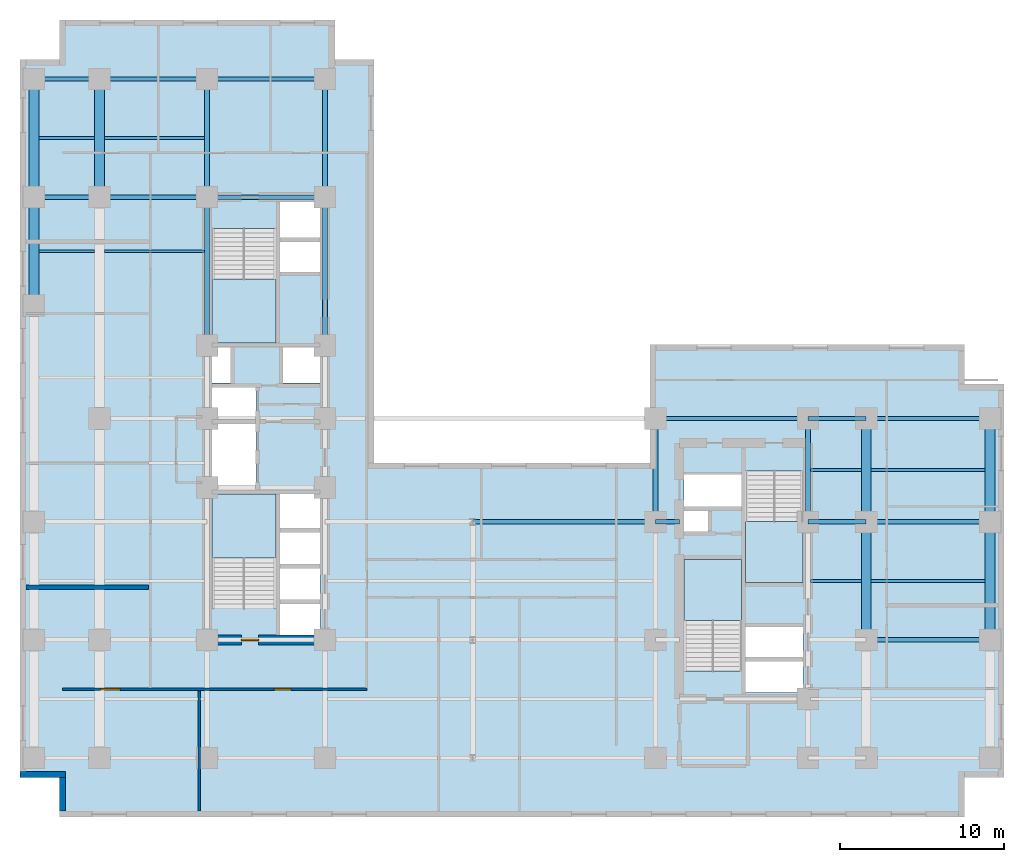
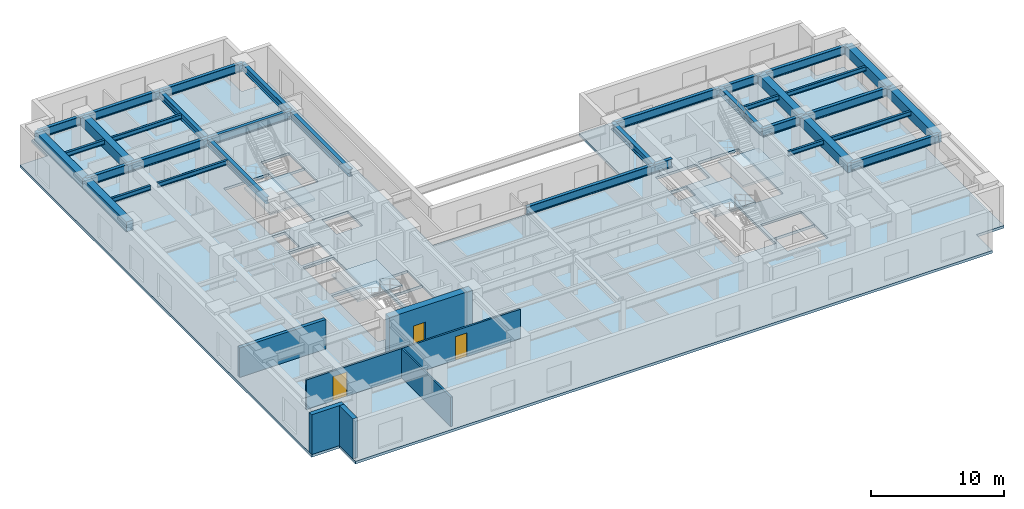
# One storey, part 2 of 9: 35 beams, 6 walls, 5 slabs, 3 doors, 3 openings, 4 elements without a shape of their own.
"""IFC4 building model written with IfcOpenShell, lengths in metres."""

from ifc_helpers import new_model, entity, si_unit, converted_unit, direction, frame, origin_with_axes, origin_2d_with_axis, place, context, subcontext, project, spatial, polyline, rectangle, i_section, outline, extrude, material, layer, layer_set, material_profile, profile_set, type_object, element, fill, aggregate, save


model = new_model("IFC4")

# Units and contexts
model_context = context("Model", 3, precision=1e-05, world=origin_with_axes(), true_north=direction((0.0, 1.0)))
body_context = subcontext(model_context, "Body", "Model", "MODEL_VIEW")
ifc_project = project(units=[si_unit("LENGTHUNIT", "METRE"), si_unit("AREAUNIT", "SQUARE_METRE"), si_unit("VOLUMEUNIT", "CUBIC_METRE"), converted_unit("PLANEANGLEUNIT", "DEGREE", entity("IfcPlaneAngleMeasure", 0.017453292519943295), si_unit("PLANEANGLEUNIT", "RADIAN"), dimensions=[0, 0, 0, 0, 0, 0, 0]), si_unit("MASSUNIT", "GRAM", prefix="KILO"), si_unit("THERMODYNAMICTEMPERATUREUNIT", "KELVIN")], contexts=[model_context])

# Site, building, storey
site_placement = place(None, origin_with_axes())
site = spatial("IfcSite", under=ifc_project, at=site_placement, CompositionType="ELEMENT")
building_placement = place(site_placement, origin_with_axes())
building = spatial("IfcBuilding", under=site, at=building_placement, Name="Varnlund Millrace Tower", CompositionType="ELEMENT")
storey_placement = place(building_placement, frame((0.0, 0.0, 56.1), z_axis=(0.0, 0.0, 1.0), x_axis=(1.0, 0.0, 0.0)))
storey = spatial("IfcBuildingStorey", under=building, at=storey_placement, Name="L13", CompositionType="ELEMENT", Elevation=56.1)

# Beams
ifc_material_1 = material(Name="Steel ASTM A992 Grade 50", Category="steel")
ifc_material_profile_1 = material_profile(ifc_material_1, i_section(OverallWidth=0.328, OverallDepth=0.628, WebThickness=0.0165, FlangeThickness=0.0277, FilletRadius=0.018, at=origin_2d_with_axis()), Name="Steel ASTM A992 Grade 50")
ifc_profile_set_1 = profile_set([ifc_material_profile_1], Name="Steel ASTM A992 Grade 50")
beam_type_1 = type_object("IfcBeamType", Name="Type-Girder-W24X146", PredefinedType="USERDEFINED", material=ifc_profile_set_1)
beam_1_placement = place(storey_placement, frame((11.4, 28.75, 3.346), z_axis=(0.0, 1.0, 0.0), x_axis=(-1.0, 0.0, 0.0)))
element("IfcBeam", 1, at=beam_1_placement, inside=storey, type_object=beam_type_1, Name="Type-Girder-W24X146", ObjectType="GIRDER", PredefinedType="USERDEFINED", context=body_context, shape_type="SweptSolid", body=[
    extrude(i_section(OverallWidth=0.328, OverallDepth=0.628, WebThickness=0.0165, FlangeThickness=0.0277, FilletRadius=0.018, at=origin_2d_with_axis()), origin_with_axes(), (0.0, 0.0, 1.0), 9.05),
])
beam_2_placement = place(storey_placement, frame((11.4, 37.8, 3.346), z_axis=(0.0, 1.0, 0.0), x_axis=(-1.0, 0.0, 0.0)))
element("IfcBeam", 2, at=beam_2_placement, inside=storey, type_object=beam_type_1, Name="Type-Girder-W24X146", ObjectType="GIRDER", PredefinedType="USERDEFINED", context=body_context, shape_type="SweptSolid", body=[
    extrude(i_section(OverallWidth=0.328, OverallDepth=0.628, WebThickness=0.0165, FlangeThickness=0.0277, FilletRadius=0.018, at=origin_2d_with_axis()), origin_with_axes(), (0.0, 0.0, 1.0), 7.2),
])
beam_3_placement = place(storey_placement, frame((18.6, 28.75, 3.346), z_axis=(0.0, 1.0, 0.0), x_axis=(-1.0, 0.0, 0.0)))
element("IfcBeam", 3, at=beam_3_placement, inside=storey, type_object=beam_type_1, Name="Type-Girder-W24X146", ObjectType="GIRDER", PredefinedType="USERDEFINED", context=body_context, shape_type="SweptSolid", body=[
    extrude(i_section(OverallWidth=0.328, OverallDepth=0.628, WebThickness=0.0165, FlangeThickness=0.0277, FilletRadius=0.018, at=origin_2d_with_axis()), origin_with_axes(), (0.0, 0.0, 1.0), 9.05),
])
beam_4_placement = place(storey_placement, frame((18.6, 37.8, 3.346), z_axis=(0.0, 1.0, 0.0), x_axis=(-1.0, 0.0, 0.0)))
element("IfcBeam", 4, at=beam_4_placement, inside=storey, type_object=beam_type_1, Name="Type-Girder-W24X146", ObjectType="GIRDER", PredefinedType="USERDEFINED", context=body_context, shape_type="SweptSolid", body=[
    extrude(i_section(OverallWidth=0.328, OverallDepth=0.628, WebThickness=0.0165, FlangeThickness=0.0277, FilletRadius=0.018, at=origin_2d_with_axis()), origin_with_axes(), (0.0, 0.0, 1.0), 7.2),
])
for number, where, z_axis, x_axis, name in (
    (5, (38.75, 18.0, 3.346), (0.0, 1.0, 0.0), (-1.0, 0.0, 0.0), "Type-Girder-W24X146"),
    (6, (48.05, 18.0, 3.346), (0.0, 1.0, 0.0), (-1.0, 0.0, 0.0), "Type-Girder-W24X146"),
):
    element("IfcBeam", number, at=place(storey_placement, frame(where, z_axis=z_axis, x_axis=x_axis)), inside=storey, type_object=beam_type_1, Name=name, ObjectType="GIRDER", PredefinedType="USERDEFINED", context=body_context, shape_type="SweptSolid", body=[
        extrude(i_section(OverallWidth=0.328, OverallDepth=0.628, WebThickness=0.0165, FlangeThickness=0.0277, FilletRadius=0.018, at=origin_2d_with_axis()), origin_with_axes(), (0.0, 0.0, 1.0), 6.3),
    ])
ifc_material_profile_2 = material_profile(ifc_material_1, i_section(OverallWidth=0.266, OverallDepth=0.779, WebThickness=0.0165, FlangeThickness=0.03, FilletRadius=0.02, at=origin_2d_with_axis()), Name="Steel ASTM A992 Grade 50")
ifc_profile_set_2 = profile_set([ifc_material_profile_2], Name="Steel ASTM A992 Grade 50")
beam_type_2 = type_object("IfcBeamType", Name="Type-Girder-W30X148", PredefinedType="USERDEFINED", material=ifc_profile_set_2)
beam_5_placement = place(storey_placement, frame((51.6, 10.8, 3.2705), z_axis=(1.0, 0.0, 0.0), x_axis=(0.0, 1.0, 0.0)))
element("IfcBeam", 7, at=beam_5_placement, inside=storey, type_object=beam_type_2, Name="Type-Girder-W30X148", ObjectType="GIRDER", PredefinedType="USERDEFINED", context=body_context, shape_type="SweptSolid", body=[
    extrude(i_section(OverallWidth=0.266, OverallDepth=0.779, WebThickness=0.0165, FlangeThickness=0.03, FilletRadius=0.02, at=origin_2d_with_axis()), origin_with_axes(), (0.0, 0.0, 1.0), 7.55),
])
beam_6_placement = place(storey_placement, frame((27.6, 18.0, 3.2705), z_axis=(1.0, 0.0, 0.0), x_axis=(0.0, 1.0, 0.0)))
element("IfcBeam", 8, at=beam_6_placement, inside=storey, type_object=beam_type_2, Name="Type-Girder-W30X148", ObjectType="GIRDER", PredefinedType="USERDEFINED", context=body_context, shape_type="SweptSolid", body=[
    extrude(i_section(OverallWidth=0.266, OverallDepth=0.779, WebThickness=0.0165, FlangeThickness=0.03, FilletRadius=0.02, at=origin_2d_with_axis()), origin_with_axes(), (0.0, 0.0, 1.0), 11.15),
])
beam_7_placement = place(storey_placement, frame((38.75, 18.0, 3.2705), z_axis=(1.0, 0.0, 0.0), x_axis=(0.0, 1.0, 0.0)))
element("IfcBeam", 9, at=beam_7_placement, inside=storey, type_object=beam_type_2, Name="Type-Girder-W30X148", ObjectType="GIRDER", PredefinedType="USERDEFINED", context=body_context, shape_type="SweptSolid", body=[
    extrude(i_section(OverallWidth=0.266, OverallDepth=0.779, WebThickness=0.0165, FlangeThickness=0.03, FilletRadius=0.02, at=origin_2d_with_axis()), origin_with_axes(), (0.0, 0.0, 1.0), 1.45),
])
beam_8_placement = place(storey_placement, frame((48.05, 18.0, 3.2705), z_axis=(1.0, 0.0, 0.0), x_axis=(0.0, 1.0, 0.0)))
element("IfcBeam", 10, at=beam_8_placement, inside=storey, type_object=beam_type_2, Name="Type-Girder-W30X148", ObjectType="GIRDER", PredefinedType="USERDEFINED", context=body_context, shape_type="SweptSolid", body=[
    extrude(i_section(OverallWidth=0.266, OverallDepth=0.779, WebThickness=0.0165, FlangeThickness=0.03, FilletRadius=0.02, at=origin_2d_with_axis()), origin_with_axes(), (0.0, 0.0, 1.0), 3.55),
])
beam_9_placement = place(storey_placement, frame((51.6, 18.0, 3.2705), z_axis=(1.0, 0.0, 0.0), x_axis=(0.0, 1.0, 0.0)))
element("IfcBeam", 11, at=beam_9_placement, inside=storey, type_object=beam_type_2, Name="Type-Girder-W30X148", ObjectType="GIRDER", PredefinedType="USERDEFINED", context=body_context, shape_type="SweptSolid", body=[
    extrude(i_section(OverallWidth=0.266, OverallDepth=0.779, WebThickness=0.0165, FlangeThickness=0.03, FilletRadius=0.02, at=origin_2d_with_axis()), origin_with_axes(), (0.0, 0.0, 1.0), 7.55),
])
beam_10_placement = place(storey_placement, frame((38.75, 24.3, 3.2705), z_axis=(1.0, 0.0, 0.0), x_axis=(0.0, 1.0, 0.0)))
element("IfcBeam", 12, at=beam_10_placement, inside=storey, type_object=beam_type_2, Name="Type-Girder-W30X148", ObjectType="GIRDER", PredefinedType="USERDEFINED", context=body_context, shape_type="SweptSolid", body=[
    extrude(i_section(OverallWidth=0.266, OverallDepth=0.779, WebThickness=0.0165, FlangeThickness=0.03, FilletRadius=0.02, at=origin_2d_with_axis()), origin_with_axes(), (0.0, 0.0, 1.0), 9.3),
])
beam_11_placement = place(storey_placement, frame((48.05, 24.3, 3.2705), z_axis=(1.0, 0.0, 0.0), x_axis=(0.0, 1.0, 0.0)))
element("IfcBeam", 13, at=beam_11_placement, inside=storey, type_object=beam_type_2, Name="Type-Girder-W30X148", ObjectType="GIRDER", PredefinedType="USERDEFINED", context=body_context, shape_type="SweptSolid", body=[
    extrude(i_section(OverallWidth=0.266, OverallDepth=0.779, WebThickness=0.0165, FlangeThickness=0.03, FilletRadius=0.02, at=origin_2d_with_axis()), origin_with_axes(), (0.0, 0.0, 1.0), 3.55),
])
beam_12_placement = place(storey_placement, frame((51.6, 24.3, 3.2705), z_axis=(1.0, 0.0, 0.0), x_axis=(0.0, 1.0, 0.0)))
element("IfcBeam", 14, at=beam_12_placement, inside=storey, type_object=beam_type_2, Name="Type-Girder-W30X148", ObjectType="GIRDER", PredefinedType="USERDEFINED", context=body_context, shape_type="SweptSolid", body=[
    extrude(i_section(OverallWidth=0.266, OverallDepth=0.779, WebThickness=0.0165, FlangeThickness=0.03, FilletRadius=0.02, at=origin_2d_with_axis()), origin_with_axes(), (0.0, 0.0, 1.0), 7.55),
])
beam_13_placement = place(storey_placement, frame((0.85, 37.8, 3.2705), z_axis=(1.0, 0.0, 0.0), x_axis=(0.0, 1.0, 0.0)))
element("IfcBeam", 15, at=beam_13_placement, inside=storey, type_object=beam_type_2, Name="Type-Girder-W30X148", ObjectType="GIRDER", PredefinedType="USERDEFINED", context=body_context, shape_type="SweptSolid", body=[
    extrude(i_section(OverallWidth=0.266, OverallDepth=0.779, WebThickness=0.0165, FlangeThickness=0.03, FilletRadius=0.02, at=origin_2d_with_axis()), origin_with_axes(), (0.0, 0.0, 1.0), 4.0),
])
beam_14_placement = place(storey_placement, frame((4.85, 37.8, 3.2705), z_axis=(1.0, 0.0, 0.0), x_axis=(0.0, 1.0, 0.0)))
element("IfcBeam", 16, at=beam_14_placement, inside=storey, type_object=beam_type_2, Name="Type-Girder-W30X148", ObjectType="GIRDER", PredefinedType="USERDEFINED", context=body_context, shape_type="SweptSolid", body=[
    extrude(i_section(OverallWidth=0.266, OverallDepth=0.779, WebThickness=0.0165, FlangeThickness=0.03, FilletRadius=0.02, at=origin_2d_with_axis()), origin_with_axes(), (0.0, 0.0, 1.0), 6.55),
])
beam_15_placement = place(storey_placement, frame((11.4, 37.8, 3.2705), z_axis=(1.0, 0.0, 0.0), x_axis=(0.0, 1.0, 0.0)))
element("IfcBeam", 17, at=beam_15_placement, inside=storey, type_object=beam_type_2, Name="Type-Girder-W30X148", ObjectType="GIRDER", PredefinedType="USERDEFINED", context=body_context, shape_type="SweptSolid", body=[
    extrude(i_section(OverallWidth=0.266, OverallDepth=0.779, WebThickness=0.0165, FlangeThickness=0.03, FilletRadius=0.02, at=origin_2d_with_axis()), origin_with_axes(), (0.0, 0.0, 1.0), 7.2),
])
beam_16_placement = place(storey_placement, frame((0.85, 45.0, 3.2705), z_axis=(1.0, 0.0, 0.0), x_axis=(0.0, 1.0, 0.0)))
element("IfcBeam", 18, at=beam_16_placement, inside=storey, type_object=beam_type_2, Name="Type-Girder-W30X148", ObjectType="GIRDER", PredefinedType="USERDEFINED", context=body_context, shape_type="SweptSolid", body=[
    extrude(i_section(OverallWidth=0.266, OverallDepth=0.779, WebThickness=0.0165, FlangeThickness=0.03, FilletRadius=0.02, at=origin_2d_with_axis()), origin_with_axes(), (0.0, 0.0, 1.0), 4.0),
])
beam_17_placement = place(storey_placement, frame((4.85, 45.0, 3.2705), z_axis=(1.0, 0.0, 0.0), x_axis=(0.0, 1.0, 0.0)))
element("IfcBeam", 19, at=beam_17_placement, inside=storey, type_object=beam_type_2, Name="Type-Girder-W30X148", ObjectType="GIRDER", PredefinedType="USERDEFINED", context=body_context, shape_type="SweptSolid", body=[
    extrude(i_section(OverallWidth=0.266, OverallDepth=0.779, WebThickness=0.0165, FlangeThickness=0.03, FilletRadius=0.02, at=origin_2d_with_axis()), origin_with_axes(), (0.0, 0.0, 1.0), 6.55),
])
beam_18_placement = place(storey_placement, frame((11.4, 45.0, 3.2705), z_axis=(1.0, 0.0, 0.0), x_axis=(0.0, 1.0, 0.0)))
element("IfcBeam", 20, at=beam_18_placement, inside=storey, type_object=beam_type_2, Name="Type-Girder-W30X148", ObjectType="GIRDER", PredefinedType="USERDEFINED", context=body_context, shape_type="SweptSolid", body=[
    extrude(i_section(OverallWidth=0.266, OverallDepth=0.779, WebThickness=0.0165, FlangeThickness=0.03, FilletRadius=0.02, at=origin_2d_with_axis()), origin_with_axes(), (0.0, 0.0, 1.0), 7.2),
])
ifc_material_profile_3 = material_profile(ifc_material_1, i_section(OverallWidth=0.181, OverallDepth=0.417, WebThickness=0.0109, FlangeThickness=0.0182, FilletRadius=0.013, at=origin_2d_with_axis()), Name="Steel ASTM A992 Grade 50")
ifc_profile_set_3 = profile_set([ifc_material_profile_3], Name="Steel ASTM A992 Grade 50")
beam_type_3 = type_object("IfcBeamType", Name="Type-Joist-W16X57", PredefinedType="JOIST", material=ifc_profile_set_3)
for number, where, z_axis, x_axis, name in (
    (21, (1.15, 34.5, 3.4515), (1.0, 0.0, 0.0), (0.0, 1.0, 0.0), "Type-Joist-W16X57"),
    (22, (1.15, 41.4, 3.4515), (1.0, 0.0, 0.0), (0.0, 1.0, 0.0), "Type-Joist-W16X57"),
):
    element("IfcBeam", number, at=place(storey_placement, frame(where, z_axis=z_axis, x_axis=x_axis)), inside=storey, type_object=beam_type_3, Name=name, PredefinedType="JOIST", context=body_context, shape_type="SweptSolid", body=[
        extrude(i_section(OverallWidth=0.181, OverallDepth=0.417, WebThickness=0.0109, FlangeThickness=0.0182, FilletRadius=0.013, at=origin_2d_with_axis()), origin_with_axes(), (0.0, 0.0, 1.0), 3.4),
    ])
for number, where, z_axis, x_axis, name in (
    (23, (5.15, 34.5, 3.4515), (1.0, 0.0, 0.0), (0.0, 1.0, 0.0), "Type-Joist-W16X57"),
    (24, (5.15, 41.4, 3.4515), (1.0, 0.0, 0.0), (0.0, 1.0, 0.0), "Type-Joist-W16X57"),
):
    element("IfcBeam", number, at=place(storey_placement, frame(where, z_axis=z_axis, x_axis=x_axis)), inside=storey, type_object=beam_type_3, Name=name, PredefinedType="JOIST", context=body_context, shape_type="SweptSolid", body=[
        extrude(i_section(OverallWidth=0.181, OverallDepth=0.417, WebThickness=0.0109, FlangeThickness=0.0182, FilletRadius=0.013, at=origin_2d_with_axis()), origin_with_axes(), (0.0, 0.0, 1.0), 6.086),
    ])
for number, where, z_axis, x_axis, name in (
    (25, (48.214, 14.4, 3.4515), (1.0, 0.0, 0.0), (0.0, 1.0, 0.0), "Type-Joist-W16X57"),
    (26, (48.214, 21.15, 3.4515), (1.0, 0.0, 0.0), (0.0, 1.0, 0.0), "Type-Joist-W16X57"),
):
    element("IfcBeam", number, at=place(storey_placement, frame(where, z_axis=z_axis, x_axis=x_axis)), inside=storey, type_object=beam_type_3, Name=name, PredefinedType="JOIST", context=body_context, shape_type="SweptSolid", body=[
        extrude(i_section(OverallWidth=0.181, OverallDepth=0.417, WebThickness=0.0109, FlangeThickness=0.0182, FilletRadius=0.013, at=origin_2d_with_axis()), origin_with_axes(), (0.0, 0.0, 1.0), 3.086),
    ])
for number, where, z_axis, x_axis, name in (
    (27, (51.9, 14.4, 3.4515), (1.0, 0.0, 0.0), (0.0, 1.0, 0.0), "Type-Joist-W16X57"),
    (28, (51.9, 21.15, 3.4515), (1.0, 0.0, 0.0), (0.0, 1.0, 0.0), "Type-Joist-W16X57"),
):
    element("IfcBeam", number, at=place(storey_placement, frame(where, z_axis=z_axis, x_axis=x_axis)), inside=storey, type_object=beam_type_3, Name=name, PredefinedType="JOIST", context=body_context, shape_type="SweptSolid", body=[
        extrude(i_section(OverallWidth=0.181, OverallDepth=0.417, WebThickness=0.0109, FlangeThickness=0.0182, FilletRadius=0.013, at=origin_2d_with_axis()), origin_with_axes(), (0.0, 0.0, 1.0), 6.95),
    ])
ifc_material_2 = material(Name="Concrete C70/85", Category="concrete")
ifc_material_profile_4 = material_profile(ifc_material_2, rectangle(XDim=0.6, YDim=0.9, at=origin_2d_with_axis()), Name="Concrete C70/85")
ifc_profile_set_4 = profile_set([ifc_material_profile_4], Name="Concrete C70/85")
beam_type_4 = type_object("IfcBeamType", Name="Type-Spandrel-RC600X900", PredefinedType="SPANDREL", material=ifc_profile_set_4)
beam_19_placement = place(storey_placement, frame((0.85, 31.2, 3.21), z_axis=(0.0, 1.0, 0.0), x_axis=(-1.0, 0.0, 0.0)))
element("IfcBeam", 29, at=beam_19_placement, inside=storey, type_object=beam_type_4, Name="Type-Spandrel-RC600X900", PredefinedType="SPANDREL", context=body_context, shape_type="SweptSolid", body=[
    extrude(rectangle(XDim=0.6, YDim=0.9, at=origin_2d_with_axis()), origin_with_axes(), (0.0, 0.0, 1.0), 6.6),
])
for number, where, z_axis, x_axis, name in (
    (30, (0.85, 37.8, 3.21), (0.0, 1.0, 0.0), (-1.0, 0.0, 0.0), "Type-Spandrel-RC600X900"),
    (31, (4.85, 37.8, 3.21), (0.0, 1.0, 0.0), (-1.0, 0.0, 0.0), "Type-Spandrel-RC600X900"),
    (32, (51.6, 10.8, 3.21), (0.0, 1.0, 0.0), (-1.0, 0.0, 0.0), "Type-Spandrel-RC600X900"),
):
    element("IfcBeam", number, at=place(storey_placement, frame(where, z_axis=z_axis, x_axis=x_axis)), inside=storey, type_object=beam_type_4, Name=name, PredefinedType="SPANDREL", context=body_context, shape_type="SweptSolid", body=[
        extrude(rectangle(XDim=0.6, YDim=0.9, at=origin_2d_with_axis()), origin_with_axes(), (0.0, 0.0, 1.0), 7.2),
    ])
beam_20_placement = place(storey_placement, frame((51.6, 18.0, 3.21), z_axis=(0.0, 1.0, 0.0), x_axis=(-1.0, 0.0, 0.0)))
element("IfcBeam", 33, at=beam_20_placement, inside=storey, type_object=beam_type_4, Name="Type-Spandrel-RC600X900", PredefinedType="SPANDREL", context=body_context, shape_type="SweptSolid", body=[
    extrude(rectangle(XDim=0.6, YDim=0.9, at=origin_2d_with_axis()), origin_with_axes(), (0.0, 0.0, 1.0), 6.3),
])
beam_21_placement = place(storey_placement, frame((59.15, 10.8, 3.21), z_axis=(0.0, 1.0, 0.0), x_axis=(-1.0, 0.0, 0.0)))
element("IfcBeam", 34, at=beam_21_placement, inside=storey, type_object=beam_type_4, Name="Type-Spandrel-RC600X900", PredefinedType="SPANDREL", context=body_context, shape_type="SweptSolid", body=[
    extrude(rectangle(XDim=0.6, YDim=0.9, at=origin_2d_with_axis()), origin_with_axes(), (0.0, 0.0, 1.0), 7.2),
])
beam_22_placement = place(storey_placement, frame((59.15, 18.0, 3.21), z_axis=(0.0, 1.0, 0.0), x_axis=(-1.0, 0.0, 0.0)))
element("IfcBeam", 35, at=beam_22_placement, inside=storey, type_object=beam_type_4, Name="Type-Spandrel-RC600X900", PredefinedType="SPANDREL", context=body_context, shape_type="SweptSolid", body=[
    extrude(rectangle(XDim=0.6, YDim=0.9, at=origin_2d_with_axis()), origin_with_axes(), (0.0, 0.0, 1.0), 6.3),
])

# Slab
ifc_material_3 = material(Name="Concrete C60/75", Category="concrete")
ifc_layer_1 = layer(ifc_material_3, 0.24, Name="Concrete C60/75")
ifc_layer_set_1 = layer_set([ifc_layer_1], Name="Concrete C60/75")
slab_type_1 = type_object("IfcSlabType", Name="Type-Deck-Plate-Typical-240", PredefinedType="FLOOR", material=ifc_layer_set_1)
slab_1_placement = place(storey_placement, frame((0.0, 0.0, -0.24), z_axis=(0.0, 0.0, 1.0), x_axis=(1.0, 0.0, 0.0)))
element("IfcSlab", 36, at=slab_1_placement, inside=storey, type_object=slab_type_1, Name="Type-Deck-Plate-Typical-240", PredefinedType="FLOOR", context=body_context, shape_type="SweptSolid", body=[
    extrude(outline(polyline([(21.6, 21.6), (21.6, 46.2), (19.2, 46.2), (19.2, 48.6), (2.4, 48.6), (2.4, 46.2), (0.0, 46.2), (0.0, 2.4), (2.4, 2.4), (2.4, 0.0), (57.6, 0.0), (57.6, 2.4), (60.0, 2.4), (60.0, 26.4), (57.6, 26.4), (57.6, 28.8), (38.4, 28.8), (38.4, 21.6), (21.6, 21.6)]), holes=[polyline([(18.3, 11.1), (15.84, 11.1), (15.84, 13.1), (18.3, 13.1), (18.3, 11.1)]), polyline([(18.3, 13.16), (15.84, 13.16), (15.84, 15.24), (18.3, 15.24), (18.3, 13.16)]), polyline([(15.6, 12.715), (11.7, 12.715), (11.7, 19.7), (15.6, 19.7), (15.6, 12.715)]), polyline([(18.3, 15.34), (15.84, 15.34), (15.84, 17.46), (18.3, 17.46), (18.3, 15.34)]), polyline([(18.3, 17.52), (15.84, 17.52), (15.84, 19.7), (18.3, 19.7), (18.3, 17.52)]), polyline([(14.38, 23.98), (14.38, 19.94), (11.7, 19.94), (11.7, 23.98), (14.38, 23.98)]), polyline([(11.7, 24.24), (11.7, 26.2), (14.38, 26.2), (14.38, 24.24), (11.7, 24.24)]), polyline([(11.7, 26.46), (11.7, 28.65), (12.84, 28.65), (12.84, 26.46), (11.7, 26.46)]), polyline([(15.6, 28.9), (11.7, 28.9), (11.7, 35.885), (15.6, 35.885), (15.6, 28.9)]), polyline([(47.75, 7.6), (44.25, 7.6), (44.25, 9.6), (47.75, 9.6), (47.75, 7.6)]), polyline([(47.75, 9.66), (44.25, 9.66), (44.25, 11.68), (47.75, 11.68), (47.75, 9.66)]), polyline([(40.5, 8.915), (40.5, 15.7), (44.0, 15.7), (44.0, 8.915), (40.5, 8.915)]), polyline([(44.25, 14.3), (44.25, 21.085), (47.75, 21.085), (47.75, 14.3), (44.25, 14.3)]), polyline([(41.95, 17.42), (40.5, 17.42), (40.5, 18.72), (41.95, 18.72), (41.95, 17.42)]), polyline([(44.0, 18.88), (40.5, 18.88), (40.5, 20.94), (44.0, 20.94), (44.0, 18.88)]), polyline([(18.3, 26.46), (16.04, 26.46), (16.04, 28.65), (18.3, 28.65), (18.3, 26.46)]), polyline([(15.84, 33.12), (15.84, 35.18), (18.3, 35.18), (18.3, 33.12), (15.84, 33.12)]), polyline([(15.84, 35.22), (15.84, 37.5), (18.3, 37.5), (18.3, 35.22), (15.84, 35.22)])]), origin_with_axes(), (0.0, 0.0, 1.0), 0.24),
])

# Stair, slab
ifc_material_4 = material(Name="Concrete C50/60", Category="concrete")
stair_type_1 = type_object("IfcStairType", Name="Type-Stair-Dogleg-185-390", PredefinedType="HALF_TURN_STAIR", material=ifc_material_4)
stair_1_placement = place(storey_placement, origin_with_axes())
stair_1 = element("IfcStair", 37, at=stair_1_placement, inside=storey, type_object=stair_type_1, Name="Type-Stair-Dogleg-185-390", PredefinedType="HALF_TURN_STAIR")
ifc_layer_2 = layer(ifc_material_4, 0.2, Name="Concrete C50/60")
ifc_layer_set_2 = layer_set([ifc_layer_2], Name="Concrete C50/60")
slab_type_2 = type_object("IfcSlabType", Name="Type-StairLanding-200", PredefinedType="LANDING", material=ifc_layer_set_2)
slab_2_placement = place(storey_placement, frame((0.0, 0.0, 1.75), z_axis=(0.0, 0.0, 1.0), x_axis=(1.0, 0.0, 0.0)))
slab_2 = element("IfcSlab", 38, at=slab_2_placement, type_object=slab_type_2, Name="ST-A1 landing 1", PredefinedType="LANDING", context=body_context, shape_type="SweptSolid", body=[
    extrude(outline(polyline([(15.6, 15.78), (15.6, 19.7), (11.7, 19.7), (11.7, 15.78), (15.6, 15.78)])), origin_with_axes(), (0.0, 0.0, 1.0), 0.2),
])
aggregate(stair_1, [slab_2])

stair_2_placement = place(storey_placement, origin_with_axes())
stair_2 = element("IfcStair", 39, at=stair_2_placement, inside=storey, type_object=stair_type_1, Name="Type-Stair-Dogleg-185-390", PredefinedType="HALF_TURN_STAIR")
slab_3_placement = place(storey_placement, frame((0.0, 0.0, 1.75), z_axis=(0.0, 0.0, 1.0), x_axis=(1.0, 0.0, 0.0)))
slab_3 = element("IfcSlab", 40, at=slab_3_placement, type_object=slab_type_2, Name="ST-A2 landing 1", PredefinedType="LANDING", context=body_context, shape_type="SweptSolid", body=[
    extrude(outline(polyline([(11.7, 32.82), (11.7, 28.9), (15.6, 28.9), (15.6, 32.82), (11.7, 32.82)])), origin_with_axes(), (0.0, 0.0, 1.0), 0.2),
])
aggregate(stair_2, [slab_3])

stair_type_2 = type_object("IfcStairType", Name="Type-Stair-Dogleg-165-390", PredefinedType="HALF_TURN_STAIR", material=ifc_material_4)
stair_3_placement = place(storey_placement, origin_with_axes())
stair_3 = element("IfcStair", 41, at=stair_3_placement, inside=storey, type_object=stair_type_2, Name="Type-Stair-Dogleg-165-390", PredefinedType="HALF_TURN_STAIR")
slab_4_placement = place(storey_placement, frame((0.0, 0.0, 1.75), z_axis=(0.0, 0.0, 1.0), x_axis=(1.0, 0.0, 0.0)))
slab_4 = element("IfcSlab", 42, at=slab_4_placement, type_object=slab_type_2, Name="ST-B1 landing 1", PredefinedType="LANDING", context=body_context, shape_type="SweptSolid", body=[
    extrude(outline(polyline([(44.0, 11.98), (44.0, 15.7), (40.5, 15.7), (40.5, 11.98), (44.0, 11.98)])), origin_with_axes(), (0.0, 0.0, 1.0), 0.2),
])
aggregate(stair_3, [slab_4])

stair_4_placement = place(storey_placement, origin_with_axes())
stair_4 = element("IfcStair", 43, at=stair_4_placement, inside=storey, type_object=stair_type_2, Name="Type-Stair-Dogleg-165-390", PredefinedType="HALF_TURN_STAIR")
slab_5_placement = place(storey_placement, frame((0.0, 0.0, 1.75), z_axis=(0.0, 0.0, 1.0), x_axis=(1.0, 0.0, 0.0)))
slab_5 = element("IfcSlab", 44, at=slab_5_placement, type_object=slab_type_2, Name="ST-B2 landing 1", PredefinedType="LANDING", context=body_context, shape_type="SweptSolid", body=[
    extrude(outline(polyline([(44.25, 18.02), (44.25, 14.3), (47.75, 14.3), (47.75, 18.02), (44.25, 18.02)])), origin_with_axes(), (0.0, 0.0, 1.0), 0.2),
])
aggregate(stair_4, [slab_5])

# Wall, opening, door
ifc_material_5 = material(Name="Concrete C80/95", Category="concrete")
ifc_layer_3 = layer(ifc_material_5, 0.6, Name="Concrete C80/95")
ifc_layer_set_3 = layer_set([ifc_layer_3], Name="Concrete C80/95")
wall_type_1 = type_object("IfcWallType", Name="Type-CoreWall-Shear-600-C80", PredefinedType="SHEAR", material=ifc_layer_set_3)
wall_1_placement = place(storey_placement, frame((11.4, 10.8, 0.0), z_axis=(0.0, 0.0, 1.0), x_axis=(1.0, 0.0, 0.0)))
wall_1 = element("IfcWall", 45, at=wall_1_placement, inside=storey, type_object=wall_type_1, Name="Type-CoreWall-Shear-600-C80", PredefinedType="SHEAR", context=body_context, shape_type="SweptSolid", body=[
    extrude(outline(polyline([(0.0, -0.3), (7.2, -0.3), (7.2, 0.3), (0.0, 0.3), (0.0, -0.3)])), origin_with_axes(), (0.0, 0.0, 1.0), 3.66),
])
opening_1_placement = place(wall_1_placement, frame((2.625, 0.0, 0.0), z_axis=(0.0, 0.0, 1.0), x_axis=(1.0, 0.0, 0.0)))
opening_1 = element("IfcOpeningElement", 46, at=opening_1_placement, cuts=wall_1, Name="Opening L13:DR-STA1", PredefinedType="OPENING", context=body_context, shape_type="SweptSolid", body=[
    extrude(rectangle(XDim=1.05, YDim=0.62, at=origin_2d_with_axis()), origin_with_axes(), (0.0, 0.0, 1.0), 2.15),
])
ifc_material_6 = material(Name="Fire-rated hollow steel door", Category="steel")
door_type_1 = type_object("IfcDoorType", Name="Type-FireDoor-Stair-1050X2150", OperationType="NOTDEFINED", PredefinedType="DOOR", material=ifc_material_6)
door_1_placement = place(wall_1_placement, frame((2.625, 0.0, 0.0), z_axis=(0.0, 0.0, 1.0), x_axis=(1.0, 0.0, 0.0)))
door_1 = element("IfcDoor", 47, at=door_1_placement, inside=storey, type_object=door_type_1, Name="Type-FireDoor-Stair-1050X2150", OperationType="SINGLE_SWING_LEFT", OverallHeight=2.15, OverallWidth=1.05, PredefinedType="DOOR", context=body_context, shape_type="SweptSolid", body=[
    extrude(rectangle(XDim=1.05, YDim=0.09, at=origin_2d_with_axis()), origin_with_axes(), (0.0, 0.0, 1.0), 2.15),
])
fill(opening_1, door_1)

# Walls
ifc_material_7 = material(Name="Precast concrete C50/60", Category="concrete")
ifc_layer_4 = layer(ifc_material_7, 0.38, Name="Precast concrete C50/60")
ifc_layer_set_4 = layer_set([ifc_layer_4], Name="Precast concrete C50/60")
wall_type_2 = type_object("IfcWallType", Name="Type-ExtWall-Precast-Tube-380", PredefinedType="SOLIDWALL", material=ifc_layer_set_4)
wall_2_placement = place(storey_placement, frame((2.59, 0.38, 0.0), z_axis=(0.0, 0.0, 1.0), x_axis=(0.0, 1.0, 0.0)))
element("IfcWall", 48, at=wall_2_placement, inside=storey, type_object=wall_type_2, Name="Type-ExtWall-Precast-Tube-380", PredefinedType="SOLIDWALL", context=body_context, shape_type="SweptSolid", body=[
    extrude(outline(polyline([(0.0, -0.19), (2.02, -0.19), (2.02, 0.19), (0.0, 0.19), (0.0, -0.19)])), origin_with_axes(), (0.0, 0.0, 1.0), 3.66),
])
wall_3_placement = place(storey_placement, frame((2.78, 2.59, 0.0), z_axis=(0.0, 0.0, 1.0), x_axis=(-1.0, 0.0, 0.0)))
element("IfcWall", 49, at=wall_3_placement, inside=storey, type_object=wall_type_2, Name="Type-ExtWall-Precast-Tube-380", PredefinedType="SOLIDWALL", context=body_context, shape_type="SweptSolid", body=[
    extrude(outline(polyline([(0.0, -0.19), (2.78, -0.19), (2.78, 0.19), (0.0, 0.19), (0.0, -0.19)])), origin_with_axes(), (0.0, 0.0, 1.0), 3.66),
])
ifc_material_8 = material(Name="Double-stud STC-60 conference acoustic partition", Category="gypsum")
ifc_layer_5 = layer(ifc_material_8, 0.28, Name="Double-stud STC-60 conference acoustic partition")
ifc_layer_set_5 = layer_set([ifc_layer_5], Name="Double-stud STC-60 conference acoustic partition")
wall_type_3 = type_object("IfcWallType", Name="Type-Partition-Acoustic-280", PredefinedType="PARTITIONING", material=ifc_layer_set_5)
wall_4_placement = place(storey_placement, frame((0.375, 14.001, 0.0), z_axis=(0.0, 0.0, 1.0), x_axis=(1.0, 0.0, 0.0)))
element("IfcWall", 50, at=wall_4_placement, inside=storey, type_object=wall_type_3, Name="Type-Partition-Acoustic-280", PredefinedType="PARTITIONING", context=body_context, shape_type="SweptSolid", body=[
    extrude(outline(polyline([(0.0, -0.14), (7.455, -0.14), (7.455, 0.14), (0.0, 0.14), (0.0, -0.14)])), origin_with_axes(), (0.0, 0.0, 1.0), 2.7),
])

# Wall, openings, doors
ifc_material_9 = material(Name="Fire-rated gypsum board on cold-formed steel framing", Category="steel")
ifc_layer_6 = layer(ifc_material_9, 0.16, Name="Fire-rated gypsum board on cold-formed steel framing")
ifc_layer_set_6 = layer_set([ifc_layer_6], Name="Fire-rated gypsum board on cold-formed steel framing")
wall_type_4 = type_object("IfcWallType", Name="Type-Partition-Corridor-160", PredefinedType="PARTITIONING", material=ifc_layer_set_6)
wall_5_placement = place(storey_placement, frame((2.6, 7.8, 0.0), z_axis=(0.0, 0.0, 1.0), x_axis=(1.0, 0.0, 0.0)))
wall_5 = element("IfcWall", 51, at=wall_5_placement, inside=storey, type_object=wall_type_4, Name="Type-Partition-Corridor-160", PredefinedType="PARTITIONING", context=body_context, shape_type="SweptSolid", body=[
    extrude(outline(polyline([(0.0, -0.08), (18.55, -0.08), (18.55, 0.08), (0.0, 0.08), (0.0, -0.08)])), origin_with_axes(), (0.0, 0.0, 1.0), 2.7),
])
opening_2_placement = place(wall_5_placement, frame((2.91, 0.0, 0.0), z_axis=(0.0, 0.0, 1.0), x_axis=(1.0, 0.0, 0.0)))
opening_2 = element("IfcOpeningElement", 52, at=opening_2_placement, cuts=wall_5, Name="Opening L13:DR-WAS-01", PredefinedType="OPENING", context=body_context, shape_type="SweptSolid", body=[
    extrude(rectangle(XDim=1.2, YDim=0.18, at=origin_2d_with_axis()), origin_with_axes(), (0.0, 0.0, 1.0), 2.2),
])
opening_3_placement = place(wall_5_placement, frame((13.4145, 0.0, 0.0), z_axis=(0.0, 0.0, 1.0), x_axis=(1.0, 0.0, 0.0)))
opening_3 = element("IfcOpeningElement", 53, at=opening_3_placement, cuts=wall_5, Name="Opening L13:DR-WAS-02", PredefinedType="OPENING", context=body_context, shape_type="SweptSolid", body=[
    extrude(rectangle(XDim=1.0, YDim=0.18, at=origin_2d_with_axis()), origin_with_axes(), (0.0, 0.0, 1.0), 2.15),
])
ifc_material_10 = material(Name="Wide executive white oak acoustic door")
door_type_2 = type_object("IfcDoorType", Name="Type-IntDoor-Exec-1200X2200", OperationType="NOTDEFINED", PredefinedType="DOOR", material=ifc_material_10)
door_2_placement = place(wall_5_placement, frame((2.91, 0.0, 0.0), z_axis=(0.0, 0.0, 1.0), x_axis=(1.0, 0.0, 0.0)))
door_2 = element("IfcDoor", 54, at=door_2_placement, inside=storey, type_object=door_type_2, Name="Type-IntDoor-Exec-1200X2200", OperationType="SINGLE_SWING_LEFT", OverallHeight=2.2, OverallWidth=1.2, PredefinedType="DOOR", context=body_context, shape_type="SweptSolid", body=[
    extrude(rectangle(XDim=1.2, YDim=0.09, at=origin_2d_with_axis()), origin_with_axes(), (0.0, 0.0, 1.0), 2.2),
])
fill(opening_2, door_2)
ifc_material_11 = material(Name="Solid-core white oak and bronze frame door")
door_type_3 = type_object("IfcDoorType", Name="Type-IntDoor-Office-1000X2150", OperationType="NOTDEFINED", PredefinedType="DOOR", material=ifc_material_11)
door_3_placement = place(wall_5_placement, frame((13.4145, 0.0, 0.0), z_axis=(0.0, 0.0, 1.0), x_axis=(1.0, 0.0, 0.0)))
door_3 = element("IfcDoor", 55, at=door_3_placement, inside=storey, type_object=door_type_3, Name="Type-IntDoor-Office-1000X2150", OperationType="SINGLE_SWING_RIGHT", OverallHeight=2.15, OverallWidth=1.0, PredefinedType="DOOR", context=body_context, shape_type="SweptSolid", body=[
    extrude(rectangle(XDim=1.0, YDim=0.09, at=origin_2d_with_axis()), origin_with_axes(), (0.0, 0.0, 1.0), 2.15),
])
fill(opening_3, door_3)

# Wall
ifc_material_12 = material(Name="Acoustic STC-50 gypsum board partition", Category="gypsum")
ifc_layer_7 = layer(ifc_material_12, 0.15, Name="Acoustic STC-50 gypsum board partition")
ifc_layer_set_7 = layer_set([ifc_layer_7], Name="Acoustic STC-50 gypsum board partition")
wall_type_5 = type_object("IfcWallType", Name="Type-Partition-Demising-150", PredefinedType="PARTITIONING", material=ifc_layer_set_7)
wall_6_placement = place(storey_placement, frame((10.929, 0.36, 0.0), z_axis=(0.0, 0.0, 1.0), x_axis=(0.0, 1.0, 0.0)))
element("IfcWall", 56, at=wall_6_placement, inside=storey, type_object=wall_type_5, Name="Type-Partition-Demising-150", PredefinedType="PARTITIONING", context=body_context, shape_type="SweptSolid", body=[
    extrude(outline(polyline([(0.0, -0.075), (7.34, -0.075), (7.34, 0.075), (0.0, 0.075), (0.0, -0.075)])), origin_with_axes(), (0.0, 0.0, 1.0), 2.7),
])

save(model, "model.ifc")
